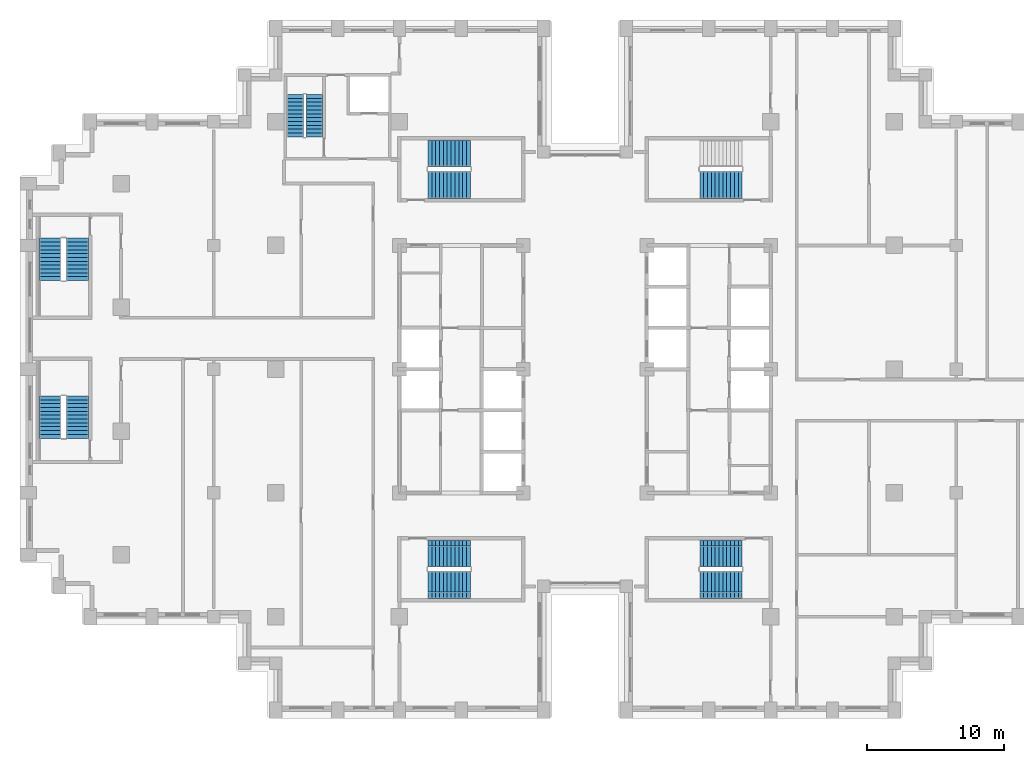
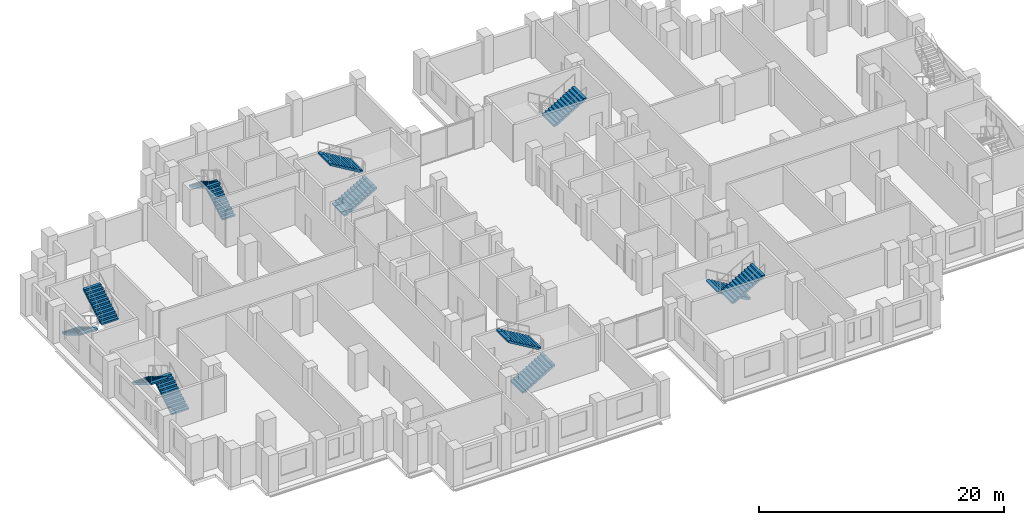
# One storey, part 13 of 16: 13 stair flights, 7 elements without a shape of their own.
"""IFC4 building model written with IfcOpenShell, lengths in metres."""

from ifc_helpers import new_model, si_unit, direction, frame, origin, place, context, subcontext, project, spatial, polyline, outline, extrude, material, type_object, element, aggregate, save


model = new_model("IFC4")

# Units and contexts
model_context = context("Model", 3, precision=1e-05, world=origin(), true_north=direction((0.0, 1.0)))
body_context = subcontext(model_context, "Body", "Model", "MODEL_VIEW")
ifc_project = project(units=[si_unit("LENGTHUNIT", "METRE"), si_unit("AREAUNIT", "SQUARE_METRE"), si_unit("VOLUMEUNIT", "CUBIC_METRE"), si_unit("PLANEANGLEUNIT", "RADIAN"), si_unit("MASSUNIT", "GRAM", prefix="KILO")], contexts=[model_context])

# Site, building, storey
site_placement = place(None, origin())
site = spatial("IfcSite", under=ifc_project, at=site_placement, CompositionType="ELEMENT")
building_placement = place(site_placement, origin())
building = spatial("IfcBuilding", under=site, at=building_placement, Name="Corbelhall Arena Tower", CompositionType="ELEMENT")
storey_placement = place(building_placement, frame((0.0, 0.0, 108.0)))
storey = spatial("IfcBuildingStorey", under=building, at=storey_placement, Name="L19", CompositionType="ELEMENT", Elevation=108.0)

# Stair, stair flights
ifc_material = material(Name="Concrete C40/50", Category="concrete")
stair_type = type_object("IfcStairType", Name="IN-ST-TOWER", PredefinedType="HALF_TURN_STAIR", material=ifc_material)
stair_1_placement = place(storey_placement, origin())
stair_1 = element("IfcStair", 1, at=stair_1_placement, inside=storey, type_object=stair_type, Name="L19 Exit stair ST1", PredefinedType="HALF_TURN_STAIR")
stair_flight_type = type_object("IfcStairFlightType", Name="IN-SFL-RC", PredefinedType="STRAIGHT", material=ifc_material)
stair_flight_1_placement = place(storey_placement, frame((-11.425048828125, 13.39990234375, 0.0), z_axis=(0.0, 0.0, 1.0), x_axis=(1.0, 0.0, 0.0)))
stair_flight_1 = element("IfcStairFlight", 2, at=stair_flight_1_placement, type_object=stair_flight_type, Name="ST1 flight 1", NumberOfRisers=12, NumberOfTreads=11, PredefinedType="STRAIGHT", RiserHeight=0.166666667, TreadLength=0.28, context=body_context, shape_type="SweptSolid", body=[
    extrude(outline(polyline([(0.0, 0.0), (0.0, 0.166748046875), (0.280029296875, 0.166748046875), (0.280029296875, 0.333251953125), (0.56005859375, 0.333251953125), (0.56005859375, 0.5), (0.840087890625, 0.5), (0.840087890625, 0.666748046875), (1.1201171875, 0.666748046875), (1.1201171875, 0.833251953125), (1.39990234375, 0.833251953125), (1.39990234375, 1.0), (1.679931640625, 1.0), (1.679931640625, 1.166748046875), (1.9599609375, 1.166748046875), (1.9599609375, 1.333251953125), (2.239990234375, 1.333251953125), (2.239990234375, 1.5), (2.52001953125, 1.5), (2.52001953125, 1.666748046875), (2.800048828125, 1.666748046875), (2.800048828125, 1.833251953125), (3.080078125, 1.833251953125), (3.080078125, 2.0), (3.080078125, 1.658935546875), (0.29296875, 0.0), (0.0, 0.0)])), frame((0.0, 0.97509765625, 0.0), z_axis=(0.0, -1.0, 0.0), x_axis=(1.0, 0.0, 0.0)), (0.0, 0.0, 1.0), 0.449951171875),
    extrude(outline(polyline([(0.0, 0.0), (0.0, 0.166748046875), (0.280029296875, 0.166748046875), (0.280029296875, 0.333251953125), (0.56005859375, 0.333251953125), (0.56005859375, 0.5), (0.840087890625, 0.5), (0.840087890625, 0.666748046875), (1.1201171875, 0.666748046875), (1.1201171875, 0.833251953125), (1.39990234375, 0.833251953125), (1.39990234375, 1.0), (1.679931640625, 1.0), (1.679931640625, 1.166748046875), (1.9599609375, 1.166748046875), (1.9599609375, 1.333251953125), (2.239990234375, 1.333251953125), (2.239990234375, 1.5), (2.52001953125, 1.5), (2.52001953125, 1.666748046875), (2.800048828125, 1.666748046875), (2.800048828125, 1.833251953125), (3.080078125, 1.833251953125), (3.080078125, 2.0), (3.080078125, 1.658935546875), (0.29296875, 0.0), (0.0, 0.0)])), frame((0.0, 0.52099609375, 0.0), z_axis=(0.0, -1.0, 0.0), x_axis=(1.0, 0.0, 0.0)), (0.0, 0.0, 1.0), 1.0419921875),
    extrude(outline(polyline([(0.0, 0.0), (0.0, 0.166748046875), (0.280029296875, 0.166748046875), (0.280029296875, 0.333251953125), (0.56005859375, 0.333251953125), (0.56005859375, 0.5), (0.840087890625, 0.5), (0.840087890625, 0.666748046875), (1.1201171875, 0.666748046875), (1.1201171875, 0.833251953125), (1.39990234375, 0.833251953125), (1.39990234375, 1.0), (1.679931640625, 1.0), (1.679931640625, 1.166748046875), (1.9599609375, 1.166748046875), (1.9599609375, 1.333251953125), (2.239990234375, 1.333251953125), (2.239990234375, 1.5), (2.52001953125, 1.5), (2.52001953125, 1.666748046875), (2.800048828125, 1.666748046875), (2.800048828125, 1.833251953125), (3.080078125, 1.833251953125), (3.080078125, 2.0), (3.080078125, 1.658935546875), (0.29296875, 0.0), (0.0, 0.0)])), frame((0.0, -0.52490234375, 0.0), z_axis=(0.0, -1.0, 0.0), x_axis=(1.0, 0.0, 0.0)), (0.0, 0.0, 1.0), 0.449951171875),
])
stair_flight_2_placement = place(storey_placement, frame((-8.344970703125, 15.699951171875, 2.0), z_axis=(0.0, 0.0, 1.0), x_axis=(-1.0, 0.0, 0.0)))
stair_flight_2 = element("IfcStairFlight", 3, at=stair_flight_2_placement, type_object=stair_flight_type, Name="ST1 flight 2", NumberOfRisers=12, NumberOfTreads=11, PredefinedType="STRAIGHT", RiserHeight=0.166666667, TreadLength=0.28, context=body_context, shape_type="SweptSolid", body=[
    extrude(outline(polyline([(0.0, 0.0), (0.0, 0.166748046875), (0.280029296875, 0.166748046875), (0.280029296875, 0.333251953125), (0.56005859375, 0.333251953125), (0.56005859375, 0.5), (0.840087890625, 0.5), (0.840087890625, 0.666748046875), (1.1201171875, 0.666748046875), (1.1201171875, 0.833251953125), (1.39990234375, 0.833251953125), (1.39990234375, 1.0), (1.679931640625, 1.0), (1.679931640625, 1.166748046875), (1.9599609375, 1.166748046875), (1.9599609375, 1.333251953125), (2.239990234375, 1.333251953125), (2.239990234375, 1.5), (2.52001953125, 1.5), (2.52001953125, 1.666748046875), (2.800048828125, 1.666748046875), (2.800048828125, 1.833251953125), (3.080078125, 1.833251953125), (3.080078125, 2.0), (3.080078125, 1.658935546875), (0.29296875, 0.0), (0.0, 0.0)])), frame((0.0, 0.97509765625, 0.0), z_axis=(0.0, -1.0, 0.0), x_axis=(1.0, 0.0, 0.0)), (0.0, 0.0, 1.0), 0.449951171875),
    extrude(outline(polyline([(0.0, 0.0), (0.0, 0.166748046875), (0.280029296875, 0.166748046875), (0.280029296875, 0.333251953125), (0.56005859375, 0.333251953125), (0.56005859375, 0.5), (0.840087890625, 0.5), (0.840087890625, 0.666748046875), (1.1201171875, 0.666748046875), (1.1201171875, 0.833251953125), (1.39990234375, 0.833251953125), (1.39990234375, 1.0), (1.679931640625, 1.0), (1.679931640625, 1.166748046875), (1.9599609375, 1.166748046875), (1.9599609375, 1.333251953125), (2.239990234375, 1.333251953125), (2.239990234375, 1.5), (2.52001953125, 1.5), (2.52001953125, 1.666748046875), (2.800048828125, 1.666748046875), (2.800048828125, 1.833251953125), (3.080078125, 1.833251953125), (3.080078125, 2.0), (3.080078125, 1.658935546875), (0.29296875, 0.0), (0.0, 0.0)])), frame((0.0, 0.52099609375, 0.0), z_axis=(0.0, -1.0, 0.0), x_axis=(1.0, 0.0, 0.0)), (0.0, 0.0, 1.0), 1.0419921875),
    extrude(outline(polyline([(0.0, 0.0), (0.0, 0.166748046875), (0.280029296875, 0.166748046875), (0.280029296875, 0.333251953125), (0.56005859375, 0.333251953125), (0.56005859375, 0.5), (0.840087890625, 0.5), (0.840087890625, 0.666748046875), (1.1201171875, 0.666748046875), (1.1201171875, 0.833251953125), (1.39990234375, 0.833251953125), (1.39990234375, 1.0), (1.679931640625, 1.0), (1.679931640625, 1.166748046875), (1.9599609375, 1.166748046875), (1.9599609375, 1.333251953125), (2.239990234375, 1.333251953125), (2.239990234375, 1.5), (2.52001953125, 1.5), (2.52001953125, 1.666748046875), (2.800048828125, 1.666748046875), (2.800048828125, 1.833251953125), (3.080078125, 1.833251953125), (3.080078125, 2.0), (3.080078125, 1.658935546875), (0.29296875, 0.0), (0.0, 0.0)])), frame((0.0, -0.52490234375, 0.0), z_axis=(0.0, -1.0, 0.0), x_axis=(1.0, 0.0, 0.0)), (0.0, 0.0, 1.0), 0.449951171875),
])
aggregate(stair_1, [stair_flight_1, stair_flight_2])

stair_2_placement = place(storey_placement, origin())
stair_2 = element("IfcStair", 4, at=stair_2_placement, inside=storey, type_object=stair_type, Name="L19 Exit stair ST2", PredefinedType="HALF_TURN_STAIR")
stair_flight_3_placement = place(storey_placement, frame((-11.425048828125, -15.699951171875, 0.0), z_axis=(0.0, 0.0, 1.0), x_axis=(1.0, 0.0, 0.0)))
stair_flight_3 = element("IfcStairFlight", 5, at=stair_flight_3_placement, type_object=stair_flight_type, Name="ST2 flight 1", NumberOfRisers=12, NumberOfTreads=11, PredefinedType="STRAIGHT", RiserHeight=0.166666667, TreadLength=0.28, context=body_context, shape_type="SweptSolid", body=[
    extrude(outline(polyline([(0.0, 0.0), (0.0, 0.166748046875), (0.280029296875, 0.166748046875), (0.280029296875, 0.333251953125), (0.56005859375, 0.333251953125), (0.56005859375, 0.5), (0.840087890625, 0.5), (0.840087890625, 0.666748046875), (1.1201171875, 0.666748046875), (1.1201171875, 0.833251953125), (1.39990234375, 0.833251953125), (1.39990234375, 1.0), (1.679931640625, 1.0), (1.679931640625, 1.166748046875), (1.9599609375, 1.166748046875), (1.9599609375, 1.333251953125), (2.239990234375, 1.333251953125), (2.239990234375, 1.5), (2.52001953125, 1.5), (2.52001953125, 1.666748046875), (2.800048828125, 1.666748046875), (2.800048828125, 1.833251953125), (3.080078125, 1.833251953125), (3.080078125, 2.0), (3.080078125, 1.658935546875), (0.29296875, 0.0), (0.0, 0.0)])), frame((0.0, 0.97509765625, 0.0), z_axis=(0.0, -1.0, 0.0), x_axis=(1.0, 0.0, 0.0)), (0.0, 0.0, 1.0), 0.449951171875),
    extrude(outline(polyline([(0.0, 0.0), (0.0, 0.166748046875), (0.280029296875, 0.166748046875), (0.280029296875, 0.333251953125), (0.56005859375, 0.333251953125), (0.56005859375, 0.5), (0.840087890625, 0.5), (0.840087890625, 0.666748046875), (1.1201171875, 0.666748046875), (1.1201171875, 0.833251953125), (1.39990234375, 0.833251953125), (1.39990234375, 1.0), (1.679931640625, 1.0), (1.679931640625, 1.166748046875), (1.9599609375, 1.166748046875), (1.9599609375, 1.333251953125), (2.239990234375, 1.333251953125), (2.239990234375, 1.5), (2.52001953125, 1.5), (2.52001953125, 1.666748046875), (2.800048828125, 1.666748046875), (2.800048828125, 1.833251953125), (3.080078125, 1.833251953125), (3.080078125, 2.0), (3.080078125, 1.658935546875), (0.29296875, 0.0), (0.0, 0.0)])), frame((0.0, 0.52099609375, 0.0), z_axis=(0.0, -1.0, 0.0), x_axis=(1.0, 0.0, 0.0)), (0.0, 0.0, 1.0), 1.0419921875),
    extrude(outline(polyline([(0.0, 0.0), (0.0, 0.166748046875), (0.280029296875, 0.166748046875), (0.280029296875, 0.333251953125), (0.56005859375, 0.333251953125), (0.56005859375, 0.5), (0.840087890625, 0.5), (0.840087890625, 0.666748046875), (1.1201171875, 0.666748046875), (1.1201171875, 0.833251953125), (1.39990234375, 0.833251953125), (1.39990234375, 1.0), (1.679931640625, 1.0), (1.679931640625, 1.166748046875), (1.9599609375, 1.166748046875), (1.9599609375, 1.333251953125), (2.239990234375, 1.333251953125), (2.239990234375, 1.5), (2.52001953125, 1.5), (2.52001953125, 1.666748046875), (2.800048828125, 1.666748046875), (2.800048828125, 1.833251953125), (3.080078125, 1.833251953125), (3.080078125, 2.0), (3.080078125, 1.658935546875), (0.29296875, 0.0), (0.0, 0.0)])), frame((0.0, -0.52490234375, 0.0), z_axis=(0.0, -1.0, 0.0), x_axis=(1.0, 0.0, 0.0)), (0.0, 0.0, 1.0), 0.449951171875),
])
stair_flight_4_placement = place(storey_placement, frame((-8.344970703125, -13.39990234375, 2.0), z_axis=(0.0, 0.0, 1.0), x_axis=(-1.0, 0.0, 0.0)))
stair_flight_4 = element("IfcStairFlight", 6, at=stair_flight_4_placement, type_object=stair_flight_type, Name="ST2 flight 2", NumberOfRisers=12, NumberOfTreads=11, PredefinedType="STRAIGHT", RiserHeight=0.166666667, TreadLength=0.28, context=body_context, shape_type="SweptSolid", body=[
    extrude(outline(polyline([(0.0, 0.0), (0.0, 0.166748046875), (0.280029296875, 0.166748046875), (0.280029296875, 0.333251953125), (0.56005859375, 0.333251953125), (0.56005859375, 0.5), (0.840087890625, 0.5), (0.840087890625, 0.666748046875), (1.1201171875, 0.666748046875), (1.1201171875, 0.833251953125), (1.39990234375, 0.833251953125), (1.39990234375, 1.0), (1.679931640625, 1.0), (1.679931640625, 1.166748046875), (1.9599609375, 1.166748046875), (1.9599609375, 1.333251953125), (2.239990234375, 1.333251953125), (2.239990234375, 1.5), (2.52001953125, 1.5), (2.52001953125, 1.666748046875), (2.800048828125, 1.666748046875), (2.800048828125, 1.833251953125), (3.080078125, 1.833251953125), (3.080078125, 2.0), (3.080078125, 1.658935546875), (0.29296875, 0.0), (0.0, 0.0)])), frame((0.0, 0.97509765625, 0.0), z_axis=(0.0, -1.0, 0.0), x_axis=(1.0, 0.0, 0.0)), (0.0, 0.0, 1.0), 0.449951171875),
    extrude(outline(polyline([(0.0, 0.0), (0.0, 0.166748046875), (0.280029296875, 0.166748046875), (0.280029296875, 0.333251953125), (0.56005859375, 0.333251953125), (0.56005859375, 0.5), (0.840087890625, 0.5), (0.840087890625, 0.666748046875), (1.1201171875, 0.666748046875), (1.1201171875, 0.833251953125), (1.39990234375, 0.833251953125), (1.39990234375, 1.0), (1.679931640625, 1.0), (1.679931640625, 1.166748046875), (1.9599609375, 1.166748046875), (1.9599609375, 1.333251953125), (2.239990234375, 1.333251953125), (2.239990234375, 1.5), (2.52001953125, 1.5), (2.52001953125, 1.666748046875), (2.800048828125, 1.666748046875), (2.800048828125, 1.833251953125), (3.080078125, 1.833251953125), (3.080078125, 2.0), (3.080078125, 1.658935546875), (0.29296875, 0.0), (0.0, 0.0)])), frame((0.0, 0.52099609375, 0.0), z_axis=(0.0, -1.0, 0.0), x_axis=(1.0, 0.0, 0.0)), (0.0, 0.0, 1.0), 1.0419921875),
    extrude(outline(polyline([(0.0, 0.0), (0.0, 0.166748046875), (0.280029296875, 0.166748046875), (0.280029296875, 0.333251953125), (0.56005859375, 0.333251953125), (0.56005859375, 0.5), (0.840087890625, 0.5), (0.840087890625, 0.666748046875), (1.1201171875, 0.666748046875), (1.1201171875, 0.833251953125), (1.39990234375, 0.833251953125), (1.39990234375, 1.0), (1.679931640625, 1.0), (1.679931640625, 1.166748046875), (1.9599609375, 1.166748046875), (1.9599609375, 1.333251953125), (2.239990234375, 1.333251953125), (2.239990234375, 1.5), (2.52001953125, 1.5), (2.52001953125, 1.666748046875), (2.800048828125, 1.666748046875), (2.800048828125, 1.833251953125), (3.080078125, 1.833251953125), (3.080078125, 2.0), (3.080078125, 1.658935546875), (0.29296875, 0.0), (0.0, 0.0)])), frame((0.0, -0.52490234375, 0.0), z_axis=(0.0, -1.0, 0.0), x_axis=(1.0, 0.0, 0.0)), (0.0, 0.0, 1.0), 0.449951171875),
])
aggregate(stair_2, [stair_flight_3, stair_flight_4])

# Stair, stair flight
stair_3_placement = place(storey_placement, origin())
stair_3 = element("IfcStair", 7, at=stair_3_placement, inside=storey, type_object=stair_type, Name="L19 Exit stair ST3", PredefinedType="HALF_TURN_STAIR")
stair_flight_5_placement = place(storey_placement, frame((8.344970703125, 13.39990234375, 2.0), z_axis=(0.0, 0.0, 1.0), x_axis=(1.0, 0.0, 0.0)))
stair_flight_5 = element("IfcStairFlight", 8, at=stair_flight_5_placement, type_object=stair_flight_type, Name="ST3 flight 2", NumberOfRisers=12, NumberOfTreads=11, PredefinedType="STRAIGHT", RiserHeight=0.166666667, TreadLength=0.28, context=body_context, shape_type="SweptSolid", body=[
    extrude(outline(polyline([(0.0, 0.0), (0.0, 0.166748046875), (0.280029296875, 0.166748046875), (0.280029296875, 0.333251953125), (0.56005859375, 0.333251953125), (0.56005859375, 0.5), (0.840087890625, 0.5), (0.840087890625, 0.666748046875), (1.1201171875, 0.666748046875), (1.1201171875, 0.833251953125), (1.39990234375, 0.833251953125), (1.39990234375, 1.0), (1.679931640625, 1.0), (1.679931640625, 1.166748046875), (1.9599609375, 1.166748046875), (1.9599609375, 1.333251953125), (2.239990234375, 1.333251953125), (2.239990234375, 1.5), (2.52001953125, 1.5), (2.52001953125, 1.666748046875), (2.800048828125, 1.666748046875), (2.800048828125, 1.833251953125), (3.080078125, 1.833251953125), (3.080078125, 2.0), (3.080078125, 1.658935546875), (0.29296875, 0.0), (0.0, 0.0)])), frame((0.0, 0.97509765625, 0.0), z_axis=(0.0, -1.0, 0.0), x_axis=(1.0, 0.0, 0.0)), (0.0, 0.0, 1.0), 0.449951171875),
    extrude(outline(polyline([(0.0, 0.0), (0.0, 0.166748046875), (0.280029296875, 0.166748046875), (0.280029296875, 0.333251953125), (0.56005859375, 0.333251953125), (0.56005859375, 0.5), (0.840087890625, 0.5), (0.840087890625, 0.666748046875), (1.1201171875, 0.666748046875), (1.1201171875, 0.833251953125), (1.39990234375, 0.833251953125), (1.39990234375, 1.0), (1.679931640625, 1.0), (1.679931640625, 1.166748046875), (1.9599609375, 1.166748046875), (1.9599609375, 1.333251953125), (2.239990234375, 1.333251953125), (2.239990234375, 1.5), (2.52001953125, 1.5), (2.52001953125, 1.666748046875), (2.800048828125, 1.666748046875), (2.800048828125, 1.833251953125), (3.080078125, 1.833251953125), (3.080078125, 2.0), (3.080078125, 1.658935546875), (0.29296875, 0.0), (0.0, 0.0)])), frame((0.0, 0.52099609375, 0.0), z_axis=(0.0, -1.0, 0.0), x_axis=(1.0, 0.0, 0.0)), (0.0, 0.0, 1.0), 1.0419921875),
    extrude(outline(polyline([(0.0, 0.0), (0.0, 0.166748046875), (0.280029296875, 0.166748046875), (0.280029296875, 0.333251953125), (0.56005859375, 0.333251953125), (0.56005859375, 0.5), (0.840087890625, 0.5), (0.840087890625, 0.666748046875), (1.1201171875, 0.666748046875), (1.1201171875, 0.833251953125), (1.39990234375, 0.833251953125), (1.39990234375, 1.0), (1.679931640625, 1.0), (1.679931640625, 1.166748046875), (1.9599609375, 1.166748046875), (1.9599609375, 1.333251953125), (2.239990234375, 1.333251953125), (2.239990234375, 1.5), (2.52001953125, 1.5), (2.52001953125, 1.666748046875), (2.800048828125, 1.666748046875), (2.800048828125, 1.833251953125), (3.080078125, 1.833251953125), (3.080078125, 2.0), (3.080078125, 1.658935546875), (0.29296875, 0.0), (0.0, 0.0)])), frame((0.0, -0.52490234375, 0.0), z_axis=(0.0, -1.0, 0.0), x_axis=(1.0, 0.0, 0.0)), (0.0, 0.0, 1.0), 0.449951171875),
])
aggregate(stair_3, [stair_flight_5])

# Stair, stair flights
stair_4_placement = place(storey_placement, origin())
stair_4 = element("IfcStair", 9, at=stair_4_placement, inside=storey, type_object=stair_type, Name="L19 Exit stair ST4", PredefinedType="HALF_TURN_STAIR")
stair_flight_6_placement = place(storey_placement, frame((11.425048828125, -13.39990234375, 0.0), z_axis=(0.0, 0.0, 1.0), x_axis=(-1.0, 0.0, 0.0)))
stair_flight_6 = element("IfcStairFlight", 10, at=stair_flight_6_placement, type_object=stair_flight_type, Name="ST4 flight 1", NumberOfRisers=12, NumberOfTreads=11, PredefinedType="STRAIGHT", RiserHeight=0.166666667, TreadLength=0.28, context=body_context, shape_type="SweptSolid", body=[
    extrude(outline(polyline([(0.0, 0.0), (0.0, 0.166748046875), (0.280029296875, 0.166748046875), (0.280029296875, 0.333251953125), (0.56005859375, 0.333251953125), (0.56005859375, 0.5), (0.840087890625, 0.5), (0.840087890625, 0.666748046875), (1.1201171875, 0.666748046875), (1.1201171875, 0.833251953125), (1.39990234375, 0.833251953125), (1.39990234375, 1.0), (1.679931640625, 1.0), (1.679931640625, 1.166748046875), (1.9599609375, 1.166748046875), (1.9599609375, 1.333251953125), (2.239990234375, 1.333251953125), (2.239990234375, 1.5), (2.52001953125, 1.5), (2.52001953125, 1.666748046875), (2.800048828125, 1.666748046875), (2.800048828125, 1.833251953125), (3.080078125, 1.833251953125), (3.080078125, 2.0), (3.080078125, 1.658935546875), (0.29296875, 0.0), (0.0, 0.0)])), frame((0.0, 0.97509765625, 0.0), z_axis=(0.0, -1.0, 0.0), x_axis=(1.0, 0.0, 0.0)), (0.0, 0.0, 1.0), 0.449951171875),
    extrude(outline(polyline([(0.0, 0.0), (0.0, 0.166748046875), (0.280029296875, 0.166748046875), (0.280029296875, 0.333251953125), (0.56005859375, 0.333251953125), (0.56005859375, 0.5), (0.840087890625, 0.5), (0.840087890625, 0.666748046875), (1.1201171875, 0.666748046875), (1.1201171875, 0.833251953125), (1.39990234375, 0.833251953125), (1.39990234375, 1.0), (1.679931640625, 1.0), (1.679931640625, 1.166748046875), (1.9599609375, 1.166748046875), (1.9599609375, 1.333251953125), (2.239990234375, 1.333251953125), (2.239990234375, 1.5), (2.52001953125, 1.5), (2.52001953125, 1.666748046875), (2.800048828125, 1.666748046875), (2.800048828125, 1.833251953125), (3.080078125, 1.833251953125), (3.080078125, 2.0), (3.080078125, 1.658935546875), (0.29296875, 0.0), (0.0, 0.0)])), frame((0.0, 0.52099609375, 0.0), z_axis=(0.0, -1.0, 0.0), x_axis=(1.0, 0.0, 0.0)), (0.0, 0.0, 1.0), 1.0419921875),
    extrude(outline(polyline([(0.0, 0.0), (0.0, 0.166748046875), (0.280029296875, 0.166748046875), (0.280029296875, 0.333251953125), (0.56005859375, 0.333251953125), (0.56005859375, 0.5), (0.840087890625, 0.5), (0.840087890625, 0.666748046875), (1.1201171875, 0.666748046875), (1.1201171875, 0.833251953125), (1.39990234375, 0.833251953125), (1.39990234375, 1.0), (1.679931640625, 1.0), (1.679931640625, 1.166748046875), (1.9599609375, 1.166748046875), (1.9599609375, 1.333251953125), (2.239990234375, 1.333251953125), (2.239990234375, 1.5), (2.52001953125, 1.5), (2.52001953125, 1.666748046875), (2.800048828125, 1.666748046875), (2.800048828125, 1.833251953125), (3.080078125, 1.833251953125), (3.080078125, 2.0), (3.080078125, 1.658935546875), (0.29296875, 0.0), (0.0, 0.0)])), frame((0.0, -0.52490234375, 0.0), z_axis=(0.0, -1.0, 0.0), x_axis=(1.0, 0.0, 0.0)), (0.0, 0.0, 1.0), 0.449951171875),
])
stair_flight_7_placement = place(storey_placement, frame((8.344970703125, -15.699951171875, 2.0), z_axis=(0.0, 0.0, 1.0), x_axis=(1.0, 0.0, 0.0)))
stair_flight_7 = element("IfcStairFlight", 11, at=stair_flight_7_placement, type_object=stair_flight_type, Name="ST4 flight 2", NumberOfRisers=12, NumberOfTreads=11, PredefinedType="STRAIGHT", RiserHeight=0.166666667, TreadLength=0.28, context=body_context, shape_type="SweptSolid", body=[
    extrude(outline(polyline([(0.0, 0.0), (0.0, 0.166748046875), (0.280029296875, 0.166748046875), (0.280029296875, 0.333251953125), (0.56005859375, 0.333251953125), (0.56005859375, 0.5), (0.840087890625, 0.5), (0.840087890625, 0.666748046875), (1.1201171875, 0.666748046875), (1.1201171875, 0.833251953125), (1.39990234375, 0.833251953125), (1.39990234375, 1.0), (1.679931640625, 1.0), (1.679931640625, 1.166748046875), (1.9599609375, 1.166748046875), (1.9599609375, 1.333251953125), (2.239990234375, 1.333251953125), (2.239990234375, 1.5), (2.52001953125, 1.5), (2.52001953125, 1.666748046875), (2.800048828125, 1.666748046875), (2.800048828125, 1.833251953125), (3.080078125, 1.833251953125), (3.080078125, 2.0), (3.080078125, 1.658935546875), (0.29296875, 0.0), (0.0, 0.0)])), frame((0.0, 0.97509765625, 0.0), z_axis=(0.0, -1.0, 0.0), x_axis=(1.0, 0.0, 0.0)), (0.0, 0.0, 1.0), 0.449951171875),
    extrude(outline(polyline([(0.0, 0.0), (0.0, 0.166748046875), (0.280029296875, 0.166748046875), (0.280029296875, 0.333251953125), (0.56005859375, 0.333251953125), (0.56005859375, 0.5), (0.840087890625, 0.5), (0.840087890625, 0.666748046875), (1.1201171875, 0.666748046875), (1.1201171875, 0.833251953125), (1.39990234375, 0.833251953125), (1.39990234375, 1.0), (1.679931640625, 1.0), (1.679931640625, 1.166748046875), (1.9599609375, 1.166748046875), (1.9599609375, 1.333251953125), (2.239990234375, 1.333251953125), (2.239990234375, 1.5), (2.52001953125, 1.5), (2.52001953125, 1.666748046875), (2.800048828125, 1.666748046875), (2.800048828125, 1.833251953125), (3.080078125, 1.833251953125), (3.080078125, 2.0), (3.080078125, 1.658935546875), (0.29296875, 0.0), (0.0, 0.0)])), frame((0.0, 0.52099609375, 0.0), z_axis=(0.0, -1.0, 0.0), x_axis=(1.0, 0.0, 0.0)), (0.0, 0.0, 1.0), 1.0419921875),
    extrude(outline(polyline([(0.0, 0.0), (0.0, 0.166748046875), (0.280029296875, 0.166748046875), (0.280029296875, 0.333251953125), (0.56005859375, 0.333251953125), (0.56005859375, 0.5), (0.840087890625, 0.5), (0.840087890625, 0.666748046875), (1.1201171875, 0.666748046875), (1.1201171875, 0.833251953125), (1.39990234375, 0.833251953125), (1.39990234375, 1.0), (1.679931640625, 1.0), (1.679931640625, 1.166748046875), (1.9599609375, 1.166748046875), (1.9599609375, 1.333251953125), (2.239990234375, 1.333251953125), (2.239990234375, 1.5), (2.52001953125, 1.5), (2.52001953125, 1.666748046875), (2.800048828125, 1.666748046875), (2.800048828125, 1.833251953125), (3.080078125, 1.833251953125), (3.080078125, 2.0), (3.080078125, 1.658935546875), (0.29296875, 0.0), (0.0, 0.0)])), frame((0.0, -0.52490234375, 0.0), z_axis=(0.0, -1.0, 0.0), x_axis=(1.0, 0.0, 0.0)), (0.0, 0.0, 1.0), 0.449951171875),
])
aggregate(stair_4, [stair_flight_6, stair_flight_7])

stair_5_placement = place(storey_placement, origin())
stair_5 = element("IfcStair", 12, at=stair_5_placement, inside=storey, type_object=stair_type, Name="L19 Exit stair SC1", PredefinedType="HALF_TURN_STAIR")
stair_flight_8_placement = place(storey_placement, frame((-38.89990234375, 9.52490234375, 0.0), z_axis=(0.0, 0.0, 1.0), x_axis=(0.0, -1.0, 0.0)))
stair_flight_8 = element("IfcStairFlight", 13, at=stair_flight_8_placement, type_object=stair_flight_type, Name="SC1 flight 1", NumberOfRisers=12, NumberOfTreads=11, PredefinedType="STRAIGHT", RiserHeight=0.166666667, TreadLength=0.28, context=body_context, shape_type="SweptSolid", body=[
    extrude(outline(polyline([(0.0, 0.0), (0.0, 0.166748046875), (0.280029296875, 0.166748046875), (0.280029296875, 0.333251953125), (0.56005859375, 0.333251953125), (0.56005859375, 0.5), (0.840087890625, 0.5), (0.840087890625, 0.666748046875), (1.1201171875, 0.666748046875), (1.1201171875, 0.833251953125), (1.39990234375, 0.833251953125), (1.39990234375, 1.0), (1.679931640625, 1.0), (1.679931640625, 1.166748046875), (1.9599609375, 1.166748046875), (1.9599609375, 1.333251953125), (2.239990234375, 1.333251953125), (2.239990234375, 1.5), (2.52001953125, 1.5), (2.52001953125, 1.666748046875), (2.800048828125, 1.666748046875), (2.800048828125, 1.833251953125), (3.080078125, 1.833251953125), (3.080078125, 2.0), (3.080078125, 1.658935546875), (0.29296875, 0.0), (0.0, 0.0)])), frame((0.0, 0.800048828125, 0.0), z_axis=(0.0, -1.0, 0.0), x_axis=(1.0, 0.0, 0.0)), (0.0, 0.0, 1.0), 1.60009765625),
])
stair_flight_9_placement = place(storey_placement, frame((-36.925048828125, 6.445068359375, 2.0), z_axis=(0.0, 0.0, 1.0), x_axis=(0.0, 1.0, 0.0)))
stair_flight_9 = element("IfcStairFlight", 14, at=stair_flight_9_placement, type_object=stair_flight_type, Name="SC1 flight 2", NumberOfRisers=12, NumberOfTreads=11, PredefinedType="STRAIGHT", RiserHeight=0.166666667, TreadLength=0.28, context=body_context, shape_type="SweptSolid", body=[
    extrude(outline(polyline([(0.0, 0.0), (0.0, 0.166748046875), (0.280029296875, 0.166748046875), (0.280029296875, 0.333251953125), (0.56005859375, 0.333251953125), (0.56005859375, 0.5), (0.840087890625, 0.5), (0.840087890625, 0.666748046875), (1.1201171875, 0.666748046875), (1.1201171875, 0.833251953125), (1.39990234375, 0.833251953125), (1.39990234375, 1.0), (1.679931640625, 1.0), (1.679931640625, 1.166748046875), (1.9599609375, 1.166748046875), (1.9599609375, 1.333251953125), (2.239990234375, 1.333251953125), (2.239990234375, 1.5), (2.52001953125, 1.5), (2.52001953125, 1.666748046875), (2.800048828125, 1.666748046875), (2.800048828125, 1.833251953125), (3.080078125, 1.833251953125), (3.080078125, 2.0), (3.080078125, 1.658935546875), (0.29296875, 0.0), (0.0, 0.0)])), frame((0.0, 0.800048828125, 0.0), z_axis=(0.0, -1.0, 0.0), x_axis=(1.0, 0.0, 0.0)), (0.0, 0.0, 1.0), 1.60009765625),
])
aggregate(stair_5, [stair_flight_8, stair_flight_9])

stair_6_placement = place(storey_placement, origin())
stair_6 = element("IfcStair", 15, at=stair_6_placement, inside=storey, type_object=stair_type, Name="L19 Exit stair SC2", PredefinedType="HALF_TURN_STAIR")
stair_flight_10_placement = place(storey_placement, frame((-36.925048828125, -5.02490234375, 0.0), z_axis=(0.0, 0.0, 1.0), x_axis=(0.0, 1.0, 0.0)))
stair_flight_10 = element("IfcStairFlight", 16, at=stair_flight_10_placement, type_object=stair_flight_type, Name="SC2 flight 1", NumberOfRisers=12, NumberOfTreads=11, PredefinedType="STRAIGHT", RiserHeight=0.166666667, TreadLength=0.28, context=body_context, shape_type="SweptSolid", body=[
    extrude(outline(polyline([(0.0, 0.0), (0.0, 0.166748046875), (0.280029296875, 0.166748046875), (0.280029296875, 0.333251953125), (0.56005859375, 0.333251953125), (0.56005859375, 0.5), (0.840087890625, 0.5), (0.840087890625, 0.666748046875), (1.1201171875, 0.666748046875), (1.1201171875, 0.833251953125), (1.39990234375, 0.833251953125), (1.39990234375, 1.0), (1.679931640625, 1.0), (1.679931640625, 1.166748046875), (1.9599609375, 1.166748046875), (1.9599609375, 1.333251953125), (2.239990234375, 1.333251953125), (2.239990234375, 1.5), (2.52001953125, 1.5), (2.52001953125, 1.666748046875), (2.800048828125, 1.666748046875), (2.800048828125, 1.833251953125), (3.080078125, 1.833251953125), (3.080078125, 2.0), (3.080078125, 1.658935546875), (0.29296875, 0.0), (0.0, 0.0)])), frame((0.0, 0.800048828125, 0.0), z_axis=(0.0, -1.0, 0.0), x_axis=(1.0, 0.0, 0.0)), (0.0, 0.0, 1.0), 1.60009765625),
])
stair_flight_11_placement = place(storey_placement, frame((-38.89990234375, -1.945068359375, 2.0), z_axis=(0.0, 0.0, 1.0), x_axis=(0.0, -1.0, 0.0)))
stair_flight_11 = element("IfcStairFlight", 17, at=stair_flight_11_placement, type_object=stair_flight_type, Name="SC2 flight 2", NumberOfRisers=12, NumberOfTreads=11, PredefinedType="STRAIGHT", RiserHeight=0.166666667, TreadLength=0.28, context=body_context, shape_type="SweptSolid", body=[
    extrude(outline(polyline([(0.0, 0.0), (0.0, 0.166748046875), (0.280029296875, 0.166748046875), (0.280029296875, 0.333251953125), (0.56005859375, 0.333251953125), (0.56005859375, 0.5), (0.840087890625, 0.5), (0.840087890625, 0.666748046875), (1.1201171875, 0.666748046875), (1.1201171875, 0.833251953125), (1.39990234375, 0.833251953125), (1.39990234375, 1.0), (1.679931640625, 1.0), (1.679931640625, 1.166748046875), (1.9599609375, 1.166748046875), (1.9599609375, 1.333251953125), (2.239990234375, 1.333251953125), (2.239990234375, 1.5), (2.52001953125, 1.5), (2.52001953125, 1.666748046875), (2.800048828125, 1.666748046875), (2.800048828125, 1.833251953125), (3.080078125, 1.833251953125), (3.080078125, 2.0), (3.080078125, 1.658935546875), (0.29296875, 0.0), (0.0, 0.0)])), frame((0.0, 0.800048828125, 0.0), z_axis=(0.0, -1.0, 0.0), x_axis=(1.0, 0.0, 0.0)), (0.0, 0.0, 1.0), 1.60009765625),
])
aggregate(stair_6, [stair_flight_10, stair_flight_11])

stair_7_placement = place(storey_placement, origin())
stair_7 = element("IfcStair", 18, at=stair_7_placement, inside=storey, type_object=stair_type, Name="L19 Exit stair ST5", PredefinedType="HALF_TURN_STAIR")
stair_flight_12_placement = place(storey_placement, frame((-19.695068359375, 16.89990234375, 0.0), z_axis=(0.0, 0.0, 1.0), x_axis=(0.0, 1.0, 0.0)))
stair_flight_12 = element("IfcStairFlight", 19, at=stair_flight_12_placement, type_object=stair_flight_type, Name="ST5 flight 1", NumberOfRisers=12, NumberOfTreads=11, PredefinedType="STRAIGHT", RiserHeight=0.166666667, TreadLength=0.28, context=body_context, shape_type="SweptSolid", body=[
    extrude(outline(polyline([(0.0, 0.0), (0.0, 0.166748046875), (0.280029296875, 0.166748046875), (0.280029296875, 0.333251953125), (0.56005859375, 0.333251953125), (0.56005859375, 0.5), (0.840087890625, 0.5), (0.840087890625, 0.666748046875), (1.1201171875, 0.666748046875), (1.1201171875, 0.833251953125), (1.39990234375, 0.833251953125), (1.39990234375, 1.0), (1.679931640625, 1.0), (1.679931640625, 1.166748046875), (1.9599609375, 1.166748046875), (1.9599609375, 1.333251953125), (2.239990234375, 1.333251953125), (2.239990234375, 1.5), (2.52001953125, 1.5), (2.52001953125, 1.666748046875), (2.800048828125, 1.666748046875), (2.800048828125, 1.833251953125), (3.080078125, 1.833251953125), (3.080078125, 2.0), (3.080078125, 1.658935546875), (0.29296875, 0.0), (0.0, 0.0)])), frame((0.0, 0.60009765625, 0.0), z_axis=(0.0, -1.0, 0.0), x_axis=(1.0, 0.0, 0.0)), (0.0, 0.0, 1.0), 1.199951171875),
])
stair_flight_13_placement = place(storey_placement, frame((-21.094970703125, 19.97998046875, 2.0), z_axis=(0.0, 0.0, 1.0), x_axis=(0.0, -1.0, 0.0)))
stair_flight_13 = element("IfcStairFlight", 20, at=stair_flight_13_placement, type_object=stair_flight_type, Name="ST5 flight 2", NumberOfRisers=12, NumberOfTreads=11, PredefinedType="STRAIGHT", RiserHeight=0.166666667, TreadLength=0.28, context=body_context, shape_type="SweptSolid", body=[
    extrude(outline(polyline([(0.0, 0.0), (0.0, 0.166748046875), (0.280029296875, 0.166748046875), (0.280029296875, 0.333251953125), (0.56005859375, 0.333251953125), (0.56005859375, 0.5), (0.840087890625, 0.5), (0.840087890625, 0.666748046875), (1.1201171875, 0.666748046875), (1.1201171875, 0.833251953125), (1.39990234375, 0.833251953125), (1.39990234375, 1.0), (1.679931640625, 1.0), (1.679931640625, 1.166748046875), (1.9599609375, 1.166748046875), (1.9599609375, 1.333251953125), (2.239990234375, 1.333251953125), (2.239990234375, 1.5), (2.52001953125, 1.5), (2.52001953125, 1.666748046875), (2.800048828125, 1.666748046875), (2.800048828125, 1.833251953125), (3.080078125, 1.833251953125), (3.080078125, 2.0), (3.080078125, 1.658935546875), (0.29296875, 0.0), (0.0, 0.0)])), frame((0.0, 0.60009765625, 0.0), z_axis=(0.0, -1.0, 0.0), x_axis=(1.0, 0.0, 0.0)), (0.0, 0.0, 1.0), 1.199951171875),
])
aggregate(stair_7, [stair_flight_12, stair_flight_13])

save(model, "model.ifc")
